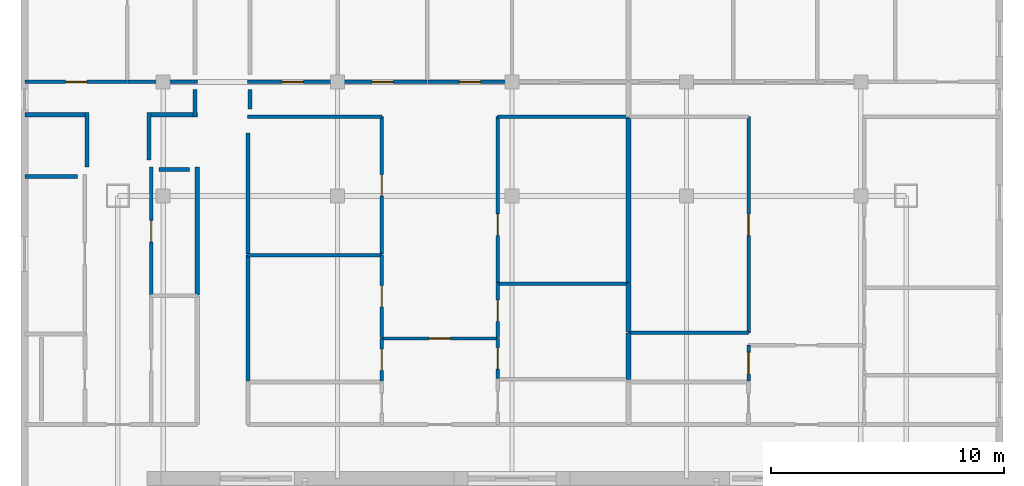
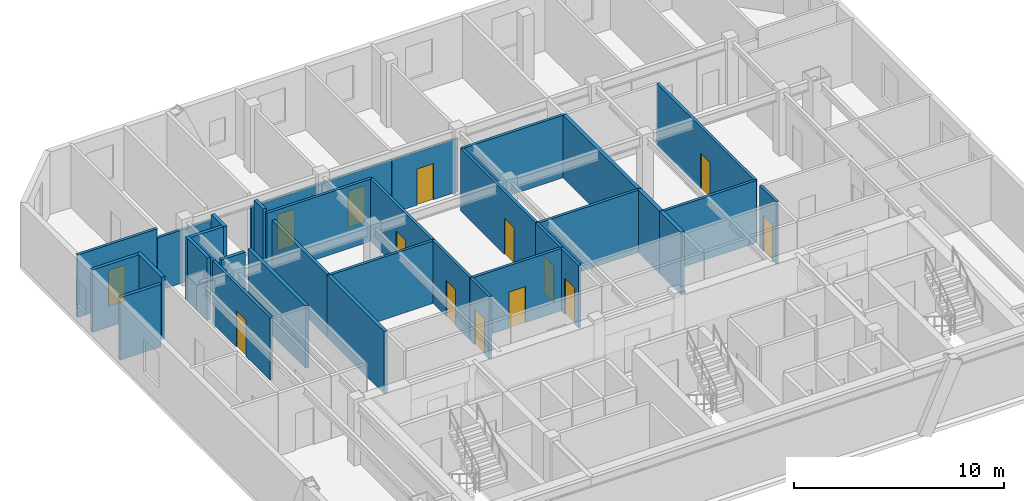
# One storey, part 4 of 7: 34 walls, 14 doors, 14 openings.
"""IFC4 building model written with IfcOpenShell, lengths in metres."""

from ifc_helpers import new_model, si_unit, direction, frame, frame_2d, origin, place, context, subcontext, project, spatial, rectangle, extrude, material, layer, layer_set, type_object, element, fill, save


model = new_model("IFC4")

# Units and contexts
model_context = context("Model", 3, precision=1e-05, world=origin(), true_north=direction((0.0, 1.0)))
body_context = subcontext(model_context, "Body", "Model", "MODEL_VIEW")
ifc_project = project(units=[si_unit("LENGTHUNIT", "METRE"), si_unit("AREAUNIT", "SQUARE_METRE"), si_unit("VOLUMEUNIT", "CUBIC_METRE"), si_unit("PLANEANGLEUNIT", "RADIAN"), si_unit("MASSUNIT", "GRAM", prefix="KILO")], contexts=[model_context])

# Site, building, storey
site_placement = place(None, origin())
site = spatial("IfcSite", under=ifc_project, at=site_placement, CompositionType="ELEMENT")
building_placement = place(site_placement, origin())
building = spatial("IfcBuilding", under=site, at=building_placement, Name="Ventersveld Concourse Tower", CompositionType="ELEMENT")
storey_placement = place(building_placement, frame((0.0, 0.0, 238.800048828125)))
storey = spatial("IfcBuildingStorey", under=building, at=storey_placement, Name="L59", CompositionType="ELEMENT", Elevation=238.800048828125)

# Walls
ifc_material_1 = material(Name="Fire-rated autoclaved aerated masonry blockwork", Category="masonry")
ifc_layer_1 = layer(ifc_material_1, 0.179931640625)
ifc_layer_set_1 = layer_set([ifc_layer_1], Name="Fire-rated autoclaved aerated masonry blockwork")
wall_type_1 = type_object("IfcWallType", Name="WL-CORR-180", PredefinedType="PARTITIONING", material=ifc_layer_set_1)
wall_1_placement = place(storey_placement, frame((15.2099609375, 19.3330078125, 0.0), z_axis=(0.0, 0.0, 1.0), x_axis=(0.0, 1.0, 0.0)))
element("IfcWall", 1, at=wall_1_placement, inside=storey, type_object=wall_type_1, Name="L59 Interior Partition SP-L59-COR-SP-L59-59NW-PANR1", PredefinedType="PARTITIONING", context=body_context, shape_type="SweptSolid", body=[
    extrude(rectangle(XDim=5.497802734375, YDim=0.179931640625, at=frame_2d((2.7490234375, 0.0))), origin(), (0.0, 0.0, 1.0), 3.6298828125),
])
wall_2_placement = place(storey_placement, frame((17.389892578125, 15.635009765625, 0.0), z_axis=(0.0, 0.0, 1.0), x_axis=(0.0, 1.0, 0.0)))
element("IfcWall", 2, at=wall_2_placement, inside=storey, type_object=wall_type_1, Name="L59 Interior Partition SP-L59-COR-SP-L59-59N1-OFFL0", PredefinedType="PARTITIONING", context=body_context, shape_type="SweptSolid", body=[
    extrude(rectangle(XDim=5.425537109375, YDim=0.179931640625, at=frame_2d((2.712890625, 0.0))), origin(), (0.0, 0.0, 1.0), 3.6298828125),
])
wall_3_placement = place(storey_placement, frame((17.389892578125, 21.090576171875, 0.0), z_axis=(0.0, 0.0, 1.0), x_axis=(0.0, 1.0, 0.0)))
element("IfcWall", 3, at=wall_3_placement, inside=storey, type_object=wall_type_1, Name="L59 Interior Partition SP-L59-COR-SP-L59-59N1-SEML2", PredefinedType="PARTITIONING", context=body_context, shape_type="SweptSolid", body=[
    extrude(rectangle(XDim=5.204345703125, YDim=0.179931640625, at=frame_2d((2.60205078125, 0.0))), origin(), (0.0, 0.0, 1.0), 3.6298828125),
])
wall_4_placement = place(storey_placement, frame((10.469970703125, 24.84033203125, 0.0), z_axis=(0.0, 0.0, 1.0), x_axis=(0.0, 1.0, 0.0)))
element("IfcWall", 4, at=wall_4_placement, inside=storey, type_object=wall_type_1, Name="L59 Room Enclosure Wall SP-L59-59NW-LIV", PredefinedType="PARTITIONING", context=body_context, shape_type="SweptSolid", body=[
    extrude(rectangle(XDim=2.3447265625, YDim=0.179931640625, at=frame_2d((1.17236328125, 0.0))), origin(), (0.0, 0.0, 1.0), 3.6298828125),
])
wall_5_placement = place(storey_placement, frame((10.56494140625, 27.090087890625, 0.0), z_axis=(0.0, 0.0, 1.0), x_axis=(-1.0, 0.0, 0.0)))
element("IfcWall", 5, at=wall_5_placement, inside=storey, type_object=wall_type_1, Name="L59 Room Enclosure Wall SP-L59-59NW-LIV", PredefinedType="PARTITIONING", context=body_context, shape_type="SweptSolid", body=[
    extrude(rectangle(XDim=2.750244140625, YDim=0.179931640625, at=frame_2d((1.375, 0.0))), origin(), (0.0, 0.0, 1.0), 3.6298828125),
])
wall_6_placement = place(storey_placement, frame((15.1201171875, 28.175048828125, 0.0), z_axis=(0.0, 0.0, 1.0), x_axis=(0.0, -1.0, 0.0)))
element("IfcWall", 6, at=wall_6_placement, inside=storey, type_object=wall_type_1, Name="L59 Room Enclosure Wall SP-L59-59NW-LIV", PredefinedType="PARTITIONING", context=body_context, shape_type="SweptSolid", body=[
    extrude(rectangle(XDim=1.179931640625, YDim=0.179931640625, at=frame_2d((0.58984375, 0.0))), origin(), (0.0, 0.0, 1.0), 3.6298828125),
])
wall_7_placement = place(storey_placement, frame((15.215087890625, 27.090087890625, 0.0), z_axis=(0.0, 0.0, 1.0), x_axis=(-1.0, 0.0, 0.0)))
element("IfcWall", 7, at=wall_7_placement, inside=storey, type_object=wall_type_1, Name="L59 Room Enclosure Wall SP-L59-59NW-LIV", PredefinedType="PARTITIONING", context=body_context, shape_type="SweptSolid", body=[
    extrude(rectangle(XDim=2.165283203125, YDim=0.179931640625, at=frame_2d((1.08251953125, 0.0))), origin(), (0.0, 0.0, 1.0), 3.6298828125),
])
wall_8_placement = place(storey_placement, frame((13.14501953125, 27.18505859375, 0.0), z_axis=(0.0, 0.0, 1.0), x_axis=(0.0, -1.0, 0.0)))
element("IfcWall", 8, at=wall_8_placement, inside=storey, type_object=wall_type_1, Name="L59 Room Enclosure Wall SP-L59-59NW-LIV", PredefinedType="PARTITIONING", context=body_context, shape_type="SweptSolid", body=[
    extrude(rectangle(XDim=2.039306640625, YDim=0.179931640625, at=frame_2d((1.01953125, 0.0))), origin(), (0.0, 0.0, 1.0), 3.6298828125),
])
wall_9_placement = place(storey_placement, frame((7.814697265625, 24.430419921875, 0.0), z_axis=(0.0, 0.0, 1.0), x_axis=(1.0, 0.0, 0.0)))
element("IfcWall", 9, at=wall_9_placement, inside=storey, type_object=wall_type_1, Name="L59 Room Enclosure Wall SP-L59-59NW-OFFL0", PredefinedType="PARTITIONING", context=body_context, shape_type="SweptSolid", body=[
    extrude(rectangle(XDim=2.240234375, YDim=0.179931640625, at=frame_2d((1.1201171875, 0.0))), origin(), (0.0, 0.0, 1.0), 3.6298828125),
])
wall_10_placement = place(storey_placement, frame((13.559814453125, 24.73583984375, 0.0), z_axis=(0.0, 0.0, 1.0), x_axis=(1.0, 0.0, 0.0)))
element("IfcWall", 10, at=wall_10_placement, inside=storey, type_object=wall_type_1, Name="L59 Room Enclosure Wall SP-L59-59NW-PANR1", PredefinedType="PARTITIONING", context=body_context, shape_type="SweptSolid", body=[
    extrude(rectangle(XDim=1.3251953125, YDim=0.179931640625, at=frame_2d((0.66259765625, 0.0))), origin(), (0.0, 0.0, 1.0), 3.6298828125),
])
wall_11_placement = place(storey_placement, frame((17.47998046875, 27.324951171875, 0.0), z_axis=(0.0, 0.0, 1.0), x_axis=(0.0, 1.0, 0.0)))
element("IfcWall", 11, at=wall_11_placement, inside=storey, type_object=wall_type_1, Name="L59 Room Enclosure Wall SP-L59-59N1-LIV", PredefinedType="PARTITIONING", context=body_context, shape_type="SweptSolid", body=[
    extrude(rectangle(XDim=0.85009765625, YDim=0.179931640625, at=frame_2d((0.425048828125, 0.0))), origin(), (0.0, 0.0, 1.0), 3.6298828125),
])
ifc_layer_2 = layer(ifc_material_1, 0.199951171875)
ifc_layer_set_2 = layer_set([ifc_layer_2], Name="Fire-rated autoclaved aerated masonry blockwork")
wall_type_2 = type_object("IfcWallType", Name="WL-DEMISE-200", PredefinedType="PARTITIONING", material=ifc_layer_set_2)
wall_12_placement = place(storey_placement, frame((33.75830078125, 15.70751953125, 0.0), z_axis=(0.0, 0.0, 1.0), x_axis=(0.0, 1.0, 0.0)))
element("IfcWall", 12, at=wall_12_placement, inside=storey, type_object=wall_type_2, Name="L59 Interior Partition SP-L59-59N1-MEDR1-SP-L59-59N2-PANL0", PredefinedType="PARTITIONING", context=body_context, shape_type="SweptSolid", body=[
    extrude(rectangle(XDim=2.00341796875, YDim=0.199951171875, at=frame_2d((1.001708984375, 0.0))), origin(), (0.0, 0.0, 1.0), 3.6298828125),
])
wall_13_placement = place(storey_placement, frame((33.75830078125, 17.740966796875, 0.0), z_axis=(0.0, 0.0, 1.0), x_axis=(0.0, 1.0, 0.0)))
element("IfcWall", 13, at=wall_13_placement, inside=storey, type_object=wall_type_2, Name="L59 Interior Partition SP-L59-59N1-MEDR1-SP-L59-59N2-DENL", PredefinedType="PARTITIONING", context=body_context, shape_type="SweptSolid", body=[
    extrude(rectangle(XDim=2.087890625, YDim=0.199951171875, at=frame_2d((1.0439453125, 0.0))), origin(), (0.0, 0.0, 1.0), 3.6298828125),
])
wall_14_placement = place(storey_placement, frame((33.75830078125, 19.85888671875, 0.0), z_axis=(0.0, 0.0, 1.0), x_axis=(0.0, 1.0, 0.0)))
element("IfcWall", 14, at=wall_14_placement, inside=storey, type_object=wall_type_2, Name="L59 Interior Partition SP-L59-59N1-DENS-SP-L59-59N2-DENL", PredefinedType="PARTITIONING", context=body_context, shape_type="SweptSolid", body=[
    extrude(rectangle(XDim=7.106201171875, YDim=0.199951171875, at=frame_2d((3.55322265625, 0.0))), origin(), (0.0, 0.0, 1.0), 3.6298828125),
])

# Wall, opening, door
ifc_material_2 = material(Name="Autoclaved aerated masonry blockwork", Category="masonry")
ifc_layer_3 = layer(ifc_material_2, 0.14990234375)
ifc_layer_set_3 = layer_set([ifc_layer_3], Name="Autoclaved aerated masonry blockwork")
wall_type_3 = type_object("IfcWallType", Name="WL-INT-150", PredefinedType="PARTITIONING", material=ifc_layer_set_3)
wall_15_placement = place(storey_placement, frame((13.23486328125, 19.3330078125, 0.0), z_axis=(0.0, 0.0, 1.0), x_axis=(0.0, 1.0, 0.0)))
wall_15 = element("IfcWall", 15, at=wall_15_placement, inside=storey, type_object=wall_type_3, Name="L59 Interior Partition SP-L59-59NW-LIV-SP-L59-59NW-PANR1", PredefinedType="PARTITIONING", context=body_context, shape_type="SweptSolid", body=[
    extrude(rectangle(XDim=5.497802734375, YDim=0.14990234375, at=frame_2d((2.7490234375, 0.0))), origin(), (0.0, 0.0, 1.0), 3.6298828125),
])
opening_1_placement = place(wall_15_placement, frame((2.288818359375, 0.0, 0.0)))
opening_1 = element("IfcOpeningElement", 16, at=opening_1_placement, cuts=wall_15, Name="Opening ID1", PredefinedType="OPENING", context=body_context, shape_type="SweptSolid", body=[
    extrude(rectangle(XDim=0.919921875, YDim=2.10009765625, at=frame_2d((0.4599609375, 1.050048828125))), frame((0.0, 0.0849609375, 0.0), z_axis=(0.0, -1.0, 0.0), x_axis=(1.0, 0.0, 0.0)), (0.0, 0.0, 1.0), 0.169921875),
])
ifc_material_3 = material(Name="Solid-core hardwood veneer timber", Category="wood")
door_type = type_object("IfcDoorType", Name="DR-ROOM-092", OperationType="NOTDEFINED", PredefinedType="DOOR", material=ifc_material_3)
door_1_placement = place(opening_1_placement, origin())
door_1 = element("IfcDoor", 17, at=door_1_placement, inside=storey, type_object=door_type, Name="L59 Interior Door SP-L59-59NW-LIV to SP-L59-59NW-PANR1 (D-L59-2836)", OperationType="SINGLE_SWING_RIGHT", OverallHeight=2.10009765625, OverallWidth=0.919921875, PredefinedType="DOOR", context=body_context, shape_type="SweptSolid", body=[
    extrude(rectangle(XDim=0.919921875, YDim=2.10009765625, at=frame_2d((0.4599609375, 1.050048828125))), frame((0.0, 0.02490234375, 0.0), z_axis=(0.0, -1.0, 0.0), x_axis=(1.0, 0.0, 0.0)), (0.0, 0.0, 1.0), 0.050048828125),
])
fill(opening_1, door_1)

wall_16_placement = place(storey_placement, frame((7.814697265625, 28.5, 0.0), z_axis=(0.0, 0.0, 1.0), x_axis=(1.0, 0.0, 0.0)))
wall_16 = element("IfcWall", 18, at=wall_16_placement, inside=storey, type_object=wall_type_3, Name="L59 Interior Partition SP-L59-59NW-LIV-SP-L59-59NW-BR1", PredefinedType="PARTITIONING", context=body_context, shape_type="SweptSolid", body=[
    extrude(rectangle(XDim=4.388916015625, YDim=0.14990234375, at=frame_2d((2.1943359375, 0.0))), origin(), (0.0, 0.0, 1.0), 3.6298828125),
])
opening_2_placement = place(wall_16_placement, frame((1.734375, 0.0, 0.0)))
opening_2 = element("IfcOpeningElement", 19, at=opening_2_placement, cuts=wall_16, Name="Opening ID1", PredefinedType="OPENING", context=body_context, shape_type="SweptSolid", body=[
    extrude(rectangle(XDim=0.919921875, YDim=2.10009765625, at=frame_2d((0.4599609375, 1.050048828125))), frame((0.0, 0.0849609375, 0.0), z_axis=(0.0, -1.0, 0.0), x_axis=(1.0, 0.0, 0.0)), (0.0, 0.0, 1.0), 0.169921875),
])
door_2_placement = place(opening_2_placement, origin())
door_2 = element("IfcDoor", 20, at=door_2_placement, inside=storey, type_object=door_type, Name="L59 Interior Door SP-L59-59NW-LIV to SP-L59-59NW-BR1 (D-L59-2837)", OperationType="SINGLE_SWING_LEFT", OverallHeight=2.10009765625, OverallWidth=0.919921875, PredefinedType="DOOR", context=body_context, shape_type="SweptSolid", body=[
    extrude(rectangle(XDim=0.919921875, YDim=2.10009765625, at=frame_2d((0.4599609375, 1.050048828125))), frame((0.0, 0.02490234375, 0.0), z_axis=(0.0, -1.0, 0.0), x_axis=(1.0, 0.0, 0.0)), (0.0, 0.0, 1.0), 0.050048828125),
])
fill(opening_2, door_2)

# Wall
wall_17_placement = place(storey_placement, frame((12.233642578125, 28.5, 0.0), z_axis=(0.0, 0.0, 1.0), x_axis=(1.0, 0.0, 0.0)))
element("IfcWall", 21, at=wall_17_placement, inside=storey, type_object=wall_type_3, Name="L59 Interior Partition SP-L59-59NW-LIV-SP-L59-59NW-BR2", PredefinedType="PARTITIONING", context=body_context, shape_type="SweptSolid", body=[
    extrude(rectangle(XDim=2.9814453125, YDim=0.14990234375, at=frame_2d((1.49072265625, 0.0))), origin(), (0.0, 0.0, 1.0), 3.08544921875),
])

# Wall, opening, door
wall_18_placement = place(storey_placement, frame((23.146484375, 17.465087890625, 0.0), z_axis=(0.0, 0.0, 1.0), x_axis=(1.0, 0.0, 0.0)))
wall_18 = element("IfcWall", 22, at=wall_18_placement, inside=storey, type_object=wall_type_3, Name="L59 Interior Partition SP-L59-59N1-FOY-SP-L59-59N1-LIV", PredefinedType="PARTITIONING", context=body_context, shape_type="SweptSolid", body=[
    extrude(rectangle(XDim=4.989990234375, YDim=0.14990234375, at=frame_2d((2.4951171875, 0.0))), origin(), (0.0, 0.0, 1.0), 3.6298828125),
])
opening_3_placement = place(wall_18_placement, frame((2.034912109375, 0.0, 0.0)))
opening_3 = element("IfcOpeningElement", 23, at=opening_3_placement, cuts=wall_18, Name="Opening ID1", PredefinedType="OPENING", context=body_context, shape_type="SweptSolid", body=[
    extrude(rectangle(XDim=0.919921875, YDim=2.10009765625, at=frame_2d((0.4599609375, 1.050048828125))), frame((0.0, 0.0849609375, 0.0), z_axis=(0.0, -1.0, 0.0), x_axis=(1.0, 0.0, 0.0)), (0.0, 0.0, 1.0), 0.169921875),
])
door_3_placement = place(opening_3_placement, origin())
door_3 = element("IfcDoor", 24, at=door_3_placement, inside=storey, type_object=door_type, Name="L59 Interior Door SP-L59-59N1-FOY to SP-L59-59N1-LIV (D-L59-2839)", OperationType="SINGLE_SWING_LEFT", OverallHeight=2.10009765625, OverallWidth=0.919921875, PredefinedType="DOOR", context=body_context, shape_type="SweptSolid", body=[
    extrude(rectangle(XDim=0.919921875, YDim=2.10009765625, at=frame_2d((0.4599609375, 1.050048828125))), frame((0.0, 0.02490234375, 0.0), z_axis=(0.0, -1.0, 0.0), x_axis=(1.0, 0.0, 0.0)), (0.0, 0.0, 1.0), 0.050048828125),
])
fill(opening_3, door_3)

wall_19_placement = place(storey_placement, frame((23.151611328125, 15.635009765625, 0.0), z_axis=(0.0, 0.0, 1.0), x_axis=(0.0, 1.0, 0.0)))
wall_19 = element("IfcWall", 25, at=wall_19_placement, inside=storey, type_object=wall_type_3, Name="L59 Interior Partition SP-L59-59N1-FOY-SP-L59-59N1-OFFL0", PredefinedType="PARTITIONING", context=body_context, shape_type="SweptSolid", body=[
    extrude(rectangle(XDim=1.835205078125, YDim=0.14990234375, at=frame_2d((0.91748046875, 0.0))), origin(), (0.0, 0.0, 1.0), 3.6298828125),
])
opening_4_placement = place(wall_19_placement, frame((0.45751953125, 0.0, 0.0)))
opening_4 = element("IfcOpeningElement", 26, at=opening_4_placement, cuts=wall_19, Name="Opening ID1", PredefinedType="OPENING", context=body_context, shape_type="SweptSolid", body=[
    extrude(rectangle(XDim=0.919921875, YDim=2.10009765625, at=frame_2d((0.4599609375, 1.050048828125))), frame((0.0, 0.0849609375, 0.0), z_axis=(0.0, -1.0, 0.0), x_axis=(1.0, 0.0, 0.0)), (0.0, 0.0, 1.0), 0.169921875),
])
door_4_placement = place(opening_4_placement, origin())
door_4 = element("IfcDoor", 27, at=door_4_placement, inside=storey, type_object=door_type, Name="L59 Interior Door SP-L59-59N1-FOY to SP-L59-59N1-OFFL0 (D-L59-2841)", OperationType="SINGLE_SWING_LEFT", OverallHeight=2.10009765625, OverallWidth=0.919921875, PredefinedType="DOOR", context=body_context, shape_type="SweptSolid", body=[
    extrude(rectangle(XDim=0.919921875, YDim=2.10009765625, at=frame_2d((0.4599609375, 1.050048828125))), frame((0.0, 0.02490234375, 0.0), z_axis=(0.0, -1.0, 0.0), x_axis=(1.0, 0.0, 0.0)), (0.0, 0.0, 1.0), 0.050048828125),
])
fill(opening_4, door_4)

wall_20_placement = place(storey_placement, frame((28.131591796875, 15.74755859375, 0.0), z_axis=(0.0, 0.0, 1.0), x_axis=(0.0, 1.0, 0.0)))
wall_20 = element("IfcWall", 28, at=wall_20_placement, inside=storey, type_object=wall_type_3, Name="L59 Interior Partition SP-L59-59N1-FOY-SP-L59-59N1-MEDR1", PredefinedType="PARTITIONING", context=body_context, shape_type="SweptSolid", body=[
    extrude(rectangle(XDim=1.72265625, YDim=0.14990234375, at=frame_2d((0.861328125, 0.0))), origin(), (0.0, 0.0, 1.0), 3.6298828125),
])
opening_5_placement = place(wall_20_placement, frame((0.4013671875, 0.0, 0.0)))
opening_5 = element("IfcOpeningElement", 29, at=opening_5_placement, cuts=wall_20, Name="Opening ID1", PredefinedType="OPENING", context=body_context, shape_type="SweptSolid", body=[
    extrude(rectangle(XDim=0.919921875, YDim=2.10009765625, at=frame_2d((0.4599609375, 1.050048828125))), frame((0.0, 0.0849609375, 0.0), z_axis=(0.0, -1.0, 0.0), x_axis=(1.0, 0.0, 0.0)), (0.0, 0.0, 1.0), 0.169921875),
])
door_5_placement = place(opening_5_placement, origin())
door_5 = element("IfcDoor", 30, at=door_5_placement, inside=storey, type_object=door_type, Name="L59 Interior Door SP-L59-59N1-FOY to SP-L59-59N1-MEDR1 (D-L59-2843)", OperationType="SINGLE_SWING_LEFT", OverallHeight=2.10009765625, OverallWidth=0.919921875, PredefinedType="DOOR", context=body_context, shape_type="SweptSolid", body=[
    extrude(rectangle(XDim=0.919921875, YDim=2.10009765625, at=frame_2d((0.4599609375, 1.050048828125))), frame((0.0, 0.02490234375, 0.0), z_axis=(0.0, -1.0, 0.0), x_axis=(1.0, 0.0, 0.0)), (0.0, 0.0, 1.0), 0.050048828125),
])
fill(opening_5, door_5)

wall_21_placement = place(storey_placement, frame((23.151611328125, 17.5, 0.0), z_axis=(0.0, 0.0, 1.0), x_axis=(0.0, 1.0, 0.0)))
wall_21 = element("IfcWall", 31, at=wall_21_placement, inside=storey, type_object=wall_type_3, Name="L59 Interior Partition SP-L59-59N1-LIV-SP-L59-59N1-OFFL0", PredefinedType="PARTITIONING", context=body_context, shape_type="SweptSolid", body=[
    extrude(rectangle(XDim=3.560546875, YDim=0.14990234375, at=frame_2d((1.7802734375, 0.0))), origin(), (0.0, 0.0, 1.0), 3.6298828125),
])
opening_6_placement = place(wall_21_placement, frame((1.3203125, 0.0, 0.0)))
opening_6 = element("IfcOpeningElement", 32, at=opening_6_placement, cuts=wall_21, Name="Opening ID1", PredefinedType="OPENING", context=body_context, shape_type="SweptSolid", body=[
    extrude(rectangle(XDim=0.919921875, YDim=2.10009765625, at=frame_2d((0.4599609375, 1.050048828125))), frame((0.0, 0.0849609375, 0.0), z_axis=(0.0, -1.0, 0.0), x_axis=(1.0, 0.0, 0.0)), (0.0, 0.0, 1.0), 0.169921875),
])
door_6_placement = place(opening_6_placement, origin())
door_6 = element("IfcDoor", 33, at=door_6_placement, inside=storey, type_object=door_type, Name="L59 Interior Door SP-L59-59N1-LIV to SP-L59-59N1-OFFL0 (D-L59-2844)", OperationType="SINGLE_SWING_RIGHT", OverallHeight=2.10009765625, OverallWidth=0.919921875, PredefinedType="DOOR", context=body_context, shape_type="SweptSolid", body=[
    extrude(rectangle(XDim=0.919921875, YDim=2.10009765625, at=frame_2d((0.4599609375, 1.050048828125))), frame((0.0, 0.02490234375, 0.0), z_axis=(0.0, -1.0, 0.0), x_axis=(1.0, 0.0, 0.0)), (0.0, 0.0, 1.0), 0.050048828125),
])
fill(opening_6, door_6)

wall_22_placement = place(storey_placement, frame((23.151611328125, 21.090576171875, 0.0), z_axis=(0.0, 0.0, 1.0), x_axis=(0.0, 1.0, 0.0)))
wall_22 = element("IfcWall", 34, at=wall_22_placement, inside=storey, type_object=wall_type_3, Name="L59 Interior Partition SP-L59-59N1-LIV-SP-L59-59N1-SEML2", PredefinedType="PARTITIONING", context=body_context, shape_type="SweptSolid", body=[
    extrude(rectangle(XDim=5.914306640625, YDim=0.14990234375, at=frame_2d((2.95703125, 0.0))), origin(), (0.0, 0.0, 1.0), 3.6298828125),
])
opening_7_placement = place(wall_22_placement, frame((2.497314453125, 0.0, 0.0)))
opening_7 = element("IfcOpeningElement", 35, at=opening_7_placement, cuts=wall_22, Name="Opening ID1", PredefinedType="OPENING", context=body_context, shape_type="SweptSolid", body=[
    extrude(rectangle(XDim=0.919921875, YDim=2.10009765625, at=frame_2d((0.4599609375, 1.050048828125))), frame((0.0, 0.0849609375, 0.0), z_axis=(0.0, -1.0, 0.0), x_axis=(1.0, 0.0, 0.0)), (0.0, 0.0, 1.0), 0.169921875),
])
door_7_placement = place(opening_7_placement, origin())
door_7 = element("IfcDoor", 36, at=door_7_placement, inside=storey, type_object=door_type, Name="L59 Interior Door SP-L59-59N1-LIV to SP-L59-59N1-SEML2 (D-L59-2845)", OperationType="SINGLE_SWING_LEFT", OverallHeight=2.10009765625, OverallWidth=0.919921875, PredefinedType="DOOR", context=body_context, shape_type="SweptSolid", body=[
    extrude(rectangle(XDim=0.919921875, YDim=2.10009765625, at=frame_2d((0.4599609375, 1.050048828125))), frame((0.0, 0.02490234375, 0.0), z_axis=(0.0, -1.0, 0.0), x_axis=(1.0, 0.0, 0.0)), (0.0, 0.0, 1.0), 0.050048828125),
])
fill(opening_7, door_7)

# Wall
wall_23_placement = place(storey_placement, frame((17.385009765625, 27.0, 0.0), z_axis=(0.0, 0.0, 1.0), x_axis=(1.0, 0.0, 0.0)))
element("IfcWall", 37, at=wall_23_placement, inside=storey, type_object=wall_type_3, Name="L59 Interior Partition SP-L59-59N1-LIV-SP-L59-59N1-SEML2", PredefinedType="PARTITIONING", context=body_context, shape_type="SweptSolid", body=[
    extrude(rectangle(XDim=5.771484375, YDim=0.14990234375, at=frame_2d((2.8857421875, 0.0))), origin(), (0.0, 0.0, 1.0), 3.6298828125),
])

# Wall, opening, door
wall_24_placement = place(storey_placement, frame((28.131591796875, 17.5, 0.0), z_axis=(0.0, 0.0, 1.0), x_axis=(0.0, 1.0, 0.0)))
wall_24 = element("IfcWall", 38, at=wall_24_placement, inside=storey, type_object=wall_type_3, Name="L59 Interior Partition SP-L59-59N1-LIV-SP-L59-59N1-MEDR1", PredefinedType="PARTITIONING", context=body_context, shape_type="SweptSolid", body=[
    extrude(rectangle(XDim=2.328857421875, YDim=0.14990234375, at=frame_2d((1.16455078125, 0.0))), origin(), (0.0, 0.0, 1.0), 3.6298828125),
])
opening_8_placement = place(wall_24_placement, frame((0.704345703125, 0.0, 0.0)))
opening_8 = element("IfcOpeningElement", 39, at=opening_8_placement, cuts=wall_24, Name="Opening ID1", PredefinedType="OPENING", context=body_context, shape_type="SweptSolid", body=[
    extrude(rectangle(XDim=0.919921875, YDim=2.10009765625, at=frame_2d((0.4599609375, 1.050048828125))), frame((0.0, 0.0849609375, 0.0), z_axis=(0.0, -1.0, 0.0), x_axis=(1.0, 0.0, 0.0)), (0.0, 0.0, 1.0), 0.169921875),
])
door_8_placement = place(opening_8_placement, origin())
door_8 = element("IfcDoor", 40, at=door_8_placement, inside=storey, type_object=door_type, Name="L59 Interior Door SP-L59-59N1-LIV to SP-L59-59N1-MEDR1 (D-L59-2846)", OperationType="SINGLE_SWING_RIGHT", OverallHeight=2.10009765625, OverallWidth=0.919921875, PredefinedType="DOOR", context=body_context, shape_type="SweptSolid", body=[
    extrude(rectangle(XDim=0.919921875, YDim=2.10009765625, at=frame_2d((0.4599609375, 1.050048828125))), frame((0.0, 0.02490234375, 0.0), z_axis=(0.0, -1.0, 0.0), x_axis=(1.0, 0.0, 0.0)), (0.0, 0.0, 1.0), 0.050048828125),
])
fill(opening_8, door_8)

wall_25_placement = place(storey_placement, frame((28.131591796875, 19.85888671875, 0.0), z_axis=(0.0, 0.0, 1.0), x_axis=(0.0, 1.0, 0.0)))
wall_25 = element("IfcWall", 41, at=wall_25_placement, inside=storey, type_object=wall_type_3, Name="L59 Interior Partition SP-L59-59N1-LIV-SP-L59-59N1-DENS", PredefinedType="PARTITIONING", context=body_context, shape_type="SweptSolid", body=[
    extrude(rectangle(XDim=7.14599609375, YDim=0.14990234375, at=frame_2d((3.572998046875, 0.0))), origin(), (0.0, 0.0, 1.0), 3.6298828125),
])
opening_9_placement = place(wall_25_placement, frame((2.041259765625, 0.0, 0.0)))
opening_9 = element("IfcOpeningElement", 42, at=opening_9_placement, cuts=wall_25, Name="Opening ID1", PredefinedType="OPENING", context=body_context, shape_type="SweptSolid", body=[
    extrude(rectangle(XDim=0.919921875, YDim=2.10009765625, at=frame_2d((0.4599609375, 1.050048828125))), frame((0.0, 0.0849609375, 0.0), z_axis=(0.0, -1.0, 0.0), x_axis=(1.0, 0.0, 0.0)), (0.0, 0.0, 1.0), 0.169921875),
])
door_9_placement = place(opening_9_placement, origin())
door_9 = element("IfcDoor", 43, at=door_9_placement, inside=storey, type_object=door_type, Name="L59 Interior Door SP-L59-59N1-LIV to SP-L59-59N1-DENS (D-L59-2847)", OperationType="SINGLE_SWING_LEFT", OverallHeight=2.10009765625, OverallWidth=0.919921875, PredefinedType="DOOR", context=body_context, shape_type="SweptSolid", body=[
    extrude(rectangle(XDim=0.919921875, YDim=2.10009765625, at=frame_2d((0.4599609375, 1.050048828125))), frame((0.0, 0.02490234375, 0.0), z_axis=(0.0, -1.0, 0.0), x_axis=(1.0, 0.0, 0.0)), (0.0, 0.0, 1.0), 0.050048828125),
])
fill(opening_9, door_9)

# Wall
wall_26_placement = place(storey_placement, frame((28.12646484375, 27.0, 0.0), z_axis=(0.0, 0.0, 1.0), x_axis=(1.0, 0.0, 0.0)))
element("IfcWall", 44, at=wall_26_placement, inside=storey, type_object=wall_type_3, Name="L59 Interior Partition SP-L59-59N1-LIV-SP-L59-59N1-DENS", PredefinedType="PARTITIONING", context=body_context, shape_type="SweptSolid", body=[
    extrude(rectangle(XDim=5.636962890625, YDim=0.14990234375, at=frame_2d((2.818359375, 0.0))), origin(), (0.0, 0.0, 1.0), 3.6298828125),
])

# Wall, opening, door
wall_27_placement = place(storey_placement, frame((17.385009765625, 28.5, 0.0), z_axis=(0.0, 0.0, 1.0), x_axis=(1.0, 0.0, 0.0)))
wall_27 = element("IfcWall", 45, at=wall_27_placement, inside=storey, type_object=wall_type_3, Name="L59 Interior Partition SP-L59-59N1-LIV-SP-L59-59N1-BR1", PredefinedType="PARTITIONING", context=body_context, shape_type="SweptSolid", body=[
    extrude(rectangle(XDim=3.869873046875, YDim=0.14990234375, at=frame_2d((1.93505859375, 0.0))), origin(), (0.0, 0.0, 1.0), 3.08544921875),
])
opening_10_placement = place(wall_27_placement, frame((1.47509765625, 0.0, 0.0)))
opening_10 = element("IfcOpeningElement", 46, at=opening_10_placement, cuts=wall_27, Name="Opening ID1", PredefinedType="OPENING", context=body_context, shape_type="SweptSolid", body=[
    extrude(rectangle(XDim=0.919921875, YDim=2.10009765625, at=frame_2d((0.4599609375, 1.050048828125))), frame((0.0, 0.0849609375, 0.0), z_axis=(0.0, -1.0, 0.0), x_axis=(1.0, 0.0, 0.0)), (0.0, 0.0, 1.0), 0.169921875),
])
door_10_placement = place(opening_10_placement, origin())
door_10 = element("IfcDoor", 47, at=door_10_placement, inside=storey, type_object=door_type, Name="L59 Interior Door SP-L59-59N1-LIV to SP-L59-59N1-BR1 (D-L59-2848)", OperationType="SINGLE_SWING_RIGHT", OverallHeight=2.10009765625, OverallWidth=0.919921875, PredefinedType="DOOR", context=body_context, shape_type="SweptSolid", body=[
    extrude(rectangle(XDim=0.919921875, YDim=2.10009765625, at=frame_2d((0.4599609375, 1.050048828125))), frame((0.0, 0.02490234375, 0.0), z_axis=(0.0, -1.0, 0.0), x_axis=(1.0, 0.0, 0.0)), (0.0, 0.0, 1.0), 0.050048828125),
])
fill(opening_10, door_10)

wall_28_placement = place(storey_placement, frame((21.284912109375, 28.5, 0.0), z_axis=(0.0, 0.0, 1.0), x_axis=(1.0, 0.0, 0.0)))
wall_28 = element("IfcWall", 48, at=wall_28_placement, inside=storey, type_object=wall_type_3, Name="L59 Interior Partition SP-L59-59N1-LIV-SP-L59-59N1-BR2", PredefinedType="PARTITIONING", context=body_context, shape_type="SweptSolid", body=[
    extrude(rectangle(XDim=3.817626953125, YDim=0.14990234375, at=frame_2d((1.90869140625, 0.0))), origin(), (0.0, 0.0, 1.0), 3.08544921875),
])
opening_11_placement = place(wall_28_placement, frame((1.44873046875, 0.0, 0.0)))
opening_11 = element("IfcOpeningElement", 49, at=opening_11_placement, cuts=wall_28, Name="Opening ID1", PredefinedType="OPENING", context=body_context, shape_type="SweptSolid", body=[
    extrude(rectangle(XDim=0.919921875, YDim=2.10009765625, at=frame_2d((0.4599609375, 1.050048828125))), frame((0.0, 0.0849609375, 0.0), z_axis=(0.0, -1.0, 0.0), x_axis=(1.0, 0.0, 0.0)), (0.0, 0.0, 1.0), 0.169921875),
])
door_11_placement = place(opening_11_placement, origin())
door_11 = element("IfcDoor", 50, at=door_11_placement, inside=storey, type_object=door_type, Name="L59 Interior Door SP-L59-59N1-LIV to SP-L59-59N1-BR2 (D-L59-2849)", OperationType="SINGLE_SWING_LEFT", OverallHeight=2.10009765625, OverallWidth=0.919921875, PredefinedType="DOOR", context=body_context, shape_type="SweptSolid", body=[
    extrude(rectangle(XDim=0.919921875, YDim=2.10009765625, at=frame_2d((0.4599609375, 1.050048828125))), frame((0.0, 0.02490234375, 0.0), z_axis=(0.0, -1.0, 0.0), x_axis=(1.0, 0.0, 0.0)), (0.0, 0.0, 1.0), 0.050048828125),
])
fill(opening_11, door_11)

wall_29_placement = place(storey_placement, frame((25.132568359375, 28.5, 0.0), z_axis=(0.0, 0.0, 1.0), x_axis=(1.0, 0.0, 0.0)))
wall_29 = element("IfcWall", 51, at=wall_29_placement, inside=storey, type_object=wall_type_3, Name="L59 Interior Partition SP-L59-59N1-LIV-SP-L59-59N1-BR3", PredefinedType="PARTITIONING", context=body_context, shape_type="SweptSolid", body=[
    extrude(rectangle(XDim=3.622314453125, YDim=0.14990234375, at=frame_2d((1.81103515625, 0.0))), origin(), (0.0, 0.0, 1.0), 3.08544921875),
])
opening_12_placement = place(wall_29_placement, frame((1.351318359375, 0.0, 0.0)))
opening_12 = element("IfcOpeningElement", 52, at=opening_12_placement, cuts=wall_29, Name="Opening ID1", PredefinedType="OPENING", context=body_context, shape_type="SweptSolid", body=[
    extrude(rectangle(XDim=0.919921875, YDim=2.10009765625, at=frame_2d((0.4599609375, 1.050048828125))), frame((0.0, 0.0849609375, 0.0), z_axis=(0.0, -1.0, 0.0), x_axis=(1.0, 0.0, 0.0)), (0.0, 0.0, 1.0), 0.169921875),
])
door_12_placement = place(opening_12_placement, origin())
door_12 = element("IfcDoor", 53, at=door_12_placement, inside=storey, type_object=door_type, Name="L59 Interior Door SP-L59-59N1-LIV to SP-L59-59N1-BR3 (D-L59-2850)", OperationType="SINGLE_SWING_RIGHT", OverallHeight=2.10009765625, OverallWidth=0.919921875, PredefinedType="DOOR", context=body_context, shape_type="SweptSolid", body=[
    extrude(rectangle(XDim=0.919921875, YDim=2.10009765625, at=frame_2d((0.4599609375, 1.050048828125))), frame((0.0, 0.02490234375, 0.0), z_axis=(0.0, -1.0, 0.0), x_axis=(1.0, 0.0, 0.0)), (0.0, 0.0, 1.0), 0.050048828125),
])
fill(opening_12, door_12)

# Walls
wall_30_placement = place(storey_placement, frame((17.385009765625, 21.0556640625, 0.0), z_axis=(0.0, 0.0, 1.0), x_axis=(1.0, 0.0, 0.0)))
element("IfcWall", 54, at=wall_30_placement, inside=storey, type_object=wall_type_3, Name="L59 Interior Partition SP-L59-59N1-OFFL0-SP-L59-59N1-SEML2", PredefinedType="PARTITIONING", context=body_context, shape_type="SweptSolid", body=[
    extrude(rectangle(XDim=5.771484375, YDim=0.14990234375, at=frame_2d((2.8857421875, 0.0))), origin(), (0.0, 0.0, 1.0), 3.6298828125),
])
wall_31_placement = place(storey_placement, frame((28.12646484375, 19.82373046875, 0.0), z_axis=(0.0, 0.0, 1.0), x_axis=(1.0, 0.0, 0.0)))
element("IfcWall", 55, at=wall_31_placement, inside=storey, type_object=wall_type_3, Name="L59 Interior Partition SP-L59-59N1-MEDR1-SP-L59-59N1-DENS", PredefinedType="PARTITIONING", context=body_context, shape_type="SweptSolid", body=[
    extrude(rectangle(XDim=5.636962890625, YDim=0.14990234375, at=frame_2d((2.818359375, 0.0))), origin(), (0.0, 0.0, 1.0), 3.6298828125),
])

# Wall, opening, door
wall_32_placement = place(storey_placement, frame((38.923095703125, 15.635009765625, 0.0), z_axis=(0.0, 0.0, 1.0), x_axis=(0.0, 1.0, 0.0)))
wall_32 = element("IfcWall", 56, at=wall_32_placement, inside=storey, type_object=wall_type_3, Name="L59 Interior Partition SP-L59-59N2-FOY-SP-L59-59N2-PANL0", PredefinedType="PARTITIONING", context=body_context, shape_type="SweptSolid", body=[
    extrude(rectangle(XDim=1.5439453125, YDim=0.14990234375, at=frame_2d((0.77197265625, 0.0))), origin(), (0.0, 0.0, 1.0), 3.6298828125),
])
opening_13_placement = place(wall_32_placement, frame((0.31201171875, 0.0, 0.0)))
opening_13 = element("IfcOpeningElement", 57, at=opening_13_placement, cuts=wall_32, Name="Opening ID1", PredefinedType="OPENING", context=body_context, shape_type="SweptSolid", body=[
    extrude(rectangle(XDim=0.919921875, YDim=2.10009765625, at=frame_2d((0.4599609375, 1.050048828125))), frame((0.0, 0.0849609375, 0.0), z_axis=(0.0, -1.0, 0.0), x_axis=(1.0, 0.0, 0.0)), (0.0, 0.0, 1.0), 0.169921875),
])
door_13_placement = place(opening_13_placement, origin())
door_13 = element("IfcDoor", 58, at=door_13_placement, inside=storey, type_object=door_type, Name="L59 Interior Door SP-L59-59N2-FOY to SP-L59-59N2-PANL0 (D-L59-2854)", OperationType="SINGLE_SWING_RIGHT", OverallHeight=2.10009765625, OverallWidth=0.919921875, PredefinedType="DOOR", context=body_context, shape_type="SweptSolid", body=[
    extrude(rectangle(XDim=0.919921875, YDim=2.10009765625, at=frame_2d((0.4599609375, 1.050048828125))), frame((0.0, 0.02490234375, 0.0), z_axis=(0.0, -1.0, 0.0), x_axis=(1.0, 0.0, 0.0)), (0.0, 0.0, 1.0), 0.050048828125),
])
fill(opening_13, door_13)

wall_33_placement = place(storey_placement, frame((38.923095703125, 17.700927734375, 0.0), z_axis=(0.0, 0.0, 1.0), x_axis=(0.0, 1.0, 0.0)))
wall_33 = element("IfcWall", 59, at=wall_33_placement, inside=storey, type_object=wall_type_3, Name="L59 Interior Partition SP-L59-59N2-LIV-SP-L59-59N2-DENL", PredefinedType="PARTITIONING", context=body_context, shape_type="SweptSolid", body=[
    extrude(rectangle(XDim=9.303955078125, YDim=0.14990234375, at=frame_2d((4.65185546875, 0.0))), origin(), (0.0, 0.0, 1.0), 3.6298828125),
])
opening_14_placement = place(wall_33_placement, frame((4.19189453125, 0.0, 0.0)))
opening_14 = element("IfcOpeningElement", 60, at=opening_14_placement, cuts=wall_33, Name="Opening ID1", PredefinedType="OPENING", context=body_context, shape_type="SweptSolid", body=[
    extrude(rectangle(XDim=0.919921875, YDim=2.10009765625, at=frame_2d((0.4599609375, 1.050048828125))), frame((0.0, 0.0849609375, 0.0), z_axis=(0.0, -1.0, 0.0), x_axis=(1.0, 0.0, 0.0)), (0.0, 0.0, 1.0), 0.169921875),
])
door_14_placement = place(opening_14_placement, origin())
door_14 = element("IfcDoor", 61, at=door_14_placement, inside=storey, type_object=door_type, Name="L59 Interior Door SP-L59-59N2-LIV to SP-L59-59N2-DENL (D-L59-2857)", OperationType="SINGLE_SWING_LEFT", OverallHeight=2.10009765625, OverallWidth=0.919921875, PredefinedType="DOOR", context=body_context, shape_type="SweptSolid", body=[
    extrude(rectangle(XDim=0.919921875, YDim=2.10009765625, at=frame_2d((0.4599609375, 1.050048828125))), frame((0.0, 0.02490234375, 0.0), z_axis=(0.0, -1.0, 0.0), x_axis=(1.0, 0.0, 0.0)), (0.0, 0.0, 1.0), 0.050048828125),
])
fill(opening_14, door_14)

# Wall
wall_34_placement = place(storey_placement, frame((33.75341796875, 17.705810546875, 0.0), z_axis=(0.0, 0.0, 1.0), x_axis=(1.0, 0.0, 0.0)))
element("IfcWall", 62, at=wall_34_placement, inside=storey, type_object=wall_type_3, Name="L59 Interior Partition SP-L59-59N2-PANL0-SP-L59-59N2-DENL", PredefinedType="PARTITIONING", context=body_context, shape_type="SweptSolid", body=[
    extrude(rectangle(XDim=5.174560546875, YDim=0.14990234375, at=frame_2d((2.58740234375, 0.0))), origin(), (0.0, 0.0, 1.0), 3.6298828125),
])

save(model, "model.ifc")
